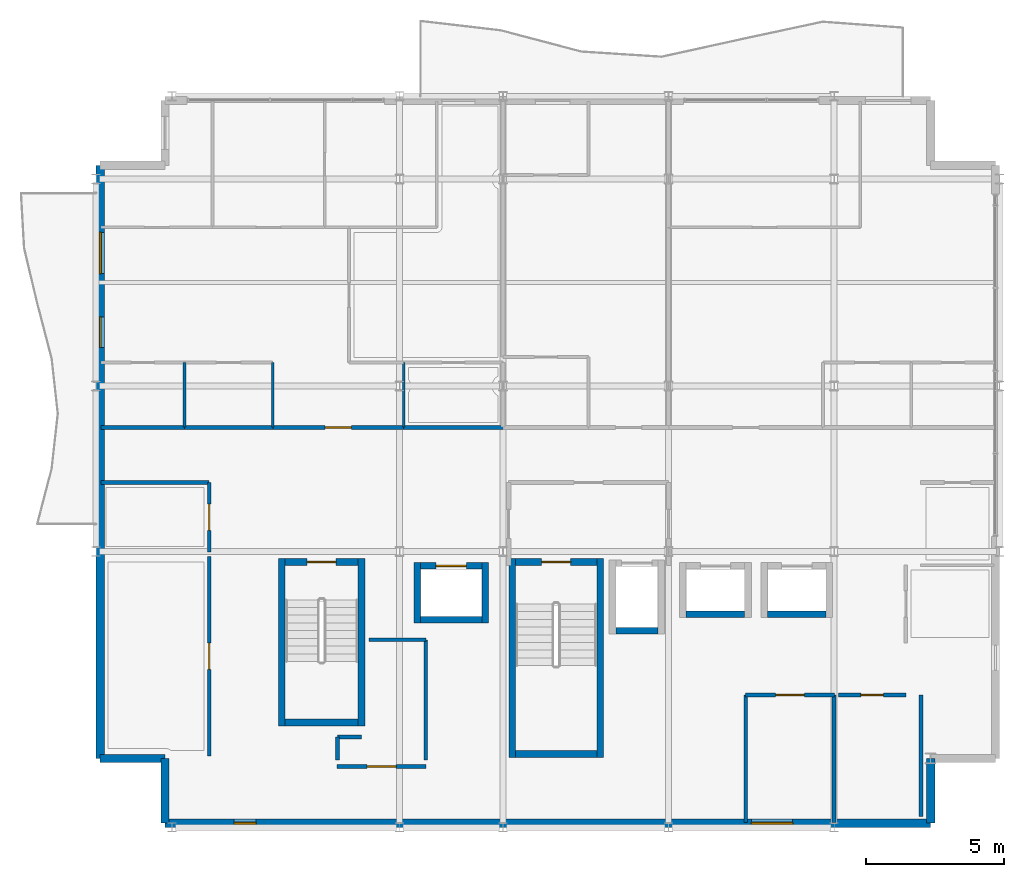
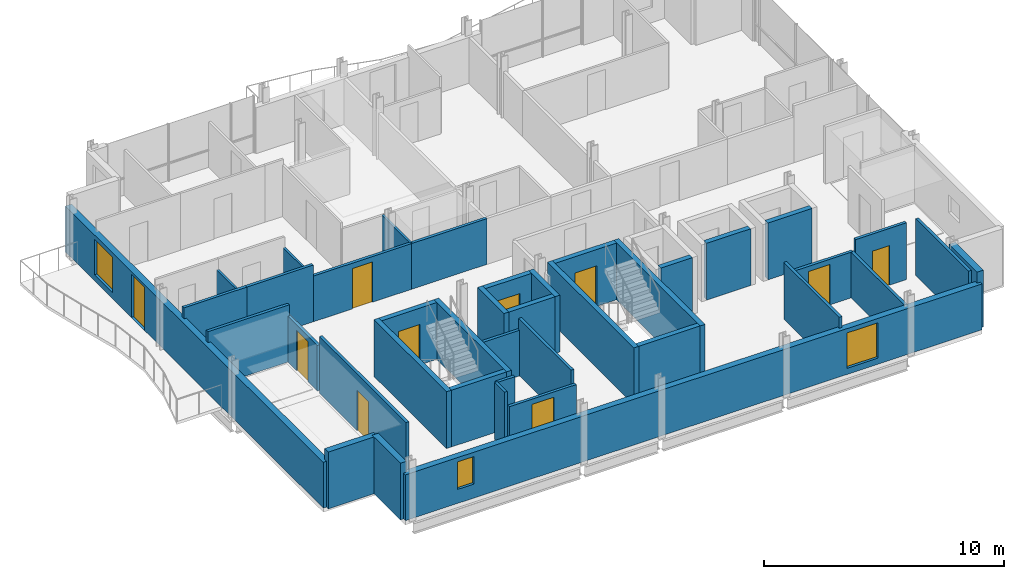
# One storey, part 8 of 12: 40 walls, 10 doors, 3 windows, 13 openings.
"""IFC4 building model written with IfcOpenShell, lengths in metres."""

from ifc_helpers import new_model, si_unit, direction, frame, frame_2d, origin, place, context, subcontext, project, spatial, rectangle, extrude, material, layer, layer_set, type_object, element, fill, save


model = new_model("IFC4")

# Units and contexts
model_context = context("Model", 3, precision=1e-05, world=origin(), true_north=direction((0.0, 1.0)))
body_context = subcontext(model_context, "Body", "Model", "MODEL_VIEW")
ifc_project = project(units=[si_unit("LENGTHUNIT", "METRE"), si_unit("AREAUNIT", "SQUARE_METRE"), si_unit("VOLUMEUNIT", "CUBIC_METRE"), si_unit("PLANEANGLEUNIT", "RADIAN"), si_unit("MASSUNIT", "GRAM", prefix="KILO")], contexts=[model_context])

# Site, building, storey
site_placement = place(None, origin())
site = spatial("IfcSite", under=ifc_project, at=site_placement, CompositionType="ELEMENT")
building_placement = place(site_placement, origin())
building = spatial("IfcBuilding", under=site, at=building_placement, Name="Brevholm Reach", CompositionType="ELEMENT")
storey_placement = place(building_placement, frame((0.0, 0.0, 227.300048828125)))
storey = spatial("IfcBuildingStorey", under=building, at=storey_placement, Name="L69", CompositionType="ELEMENT", Elevation=227.300048828125)

# Walls
ifc_material_1 = material(Name="Concrete C45/55", Category="concrete")
ifc_layer_1 = layer(ifc_material_1, 0.239990234375)
ifc_layer_set_1 = layer_set([ifc_layer_1], Name="Concrete C45/55")
wall_type_1 = type_object("IfcWallType", Name="WAL-COR-240", PredefinedType="SHEAR", material=ifc_layer_set_1)
for number, where, z_axis, x_axis, name in (
    (1, (42.330078125, 2.5400390625, 0.0), (0.0, 0.0, 1.0), (0.0, 1.0, 0.0), "L69 Escape Stair ST-2 Core Wall W"),
    (2, (45.52001953125, 2.5400390625, 0.0), (0.0, 0.0, 1.0), (0.0, 1.0, 0.0), "L69 Escape Stair ST-2 Core Wall E"),
):
    element("IfcWall", number, at=place(storey_placement, frame(where, z_axis=z_axis, x_axis=x_axis)), inside=storey, type_object=wall_type_1, Name=name, PredefinedType="SHEAR", context=body_context, shape_type="SweptSolid", body=[
        extrude(rectangle(XDim=7.199951171875, YDim=0.239990234375, at=frame_2d((3.60009765625, 0.0))), origin(), (0.0, 0.0, 1.0), 2.889892578125),
    ])
wall_1_placement = place(storey_placement, frame((42.449951171875, 2.659912109375, 0.0), z_axis=(0.0, 0.0, 1.0), x_axis=(1.0, 0.0, 0.0)))
element("IfcWall", 3, at=wall_1_placement, inside=storey, type_object=wall_type_1, Name="L69 Escape Stair ST-2 Core Wall S", PredefinedType="SHEAR", context=body_context, shape_type="SweptSolid", body=[
    extrude(rectangle(XDim=2.949951171875, YDim=0.239990234375, at=frame_2d((1.47509765625, 0.0))), origin(), (0.0, 0.0, 1.0), 2.889892578125),
])

# Wall, opening, door
wall_2_placement = place(storey_placement, frame((45.39990234375, 9.6201171875, 0.0), z_axis=(0.0, 0.0, 1.0), x_axis=(-1.0, 0.0, 0.0)))
wall_2 = element("IfcWall", 4, at=wall_2_placement, inside=storey, type_object=wall_type_1, Name="L69 Escape Stair ST-2 Core Wall N", PredefinedType="SHEAR", context=body_context, shape_type="SweptSolid", body=[
    extrude(rectangle(XDim=2.949951171875, YDim=0.239990234375, at=frame_2d((1.47509765625, 0.0))), origin(), (0.0, 0.0, 1.0), 2.889892578125),
])
opening_1_placement = place(wall_2_placement, frame((0.949951171875, 0.0, 0.0)))
opening_1 = element("IfcOpeningElement", 5, at=opening_1_placement, cuts=wall_2, Name="Opening SD-ST-2", PredefinedType="OPENING", context=body_context, shape_type="SweptSolid", body=[
    extrude(rectangle(XDim=1.050048828125, YDim=2.06005859375, at=frame_2d((0.52490234375, 1.030029296875))), frame((0.0, 0.1298828125, 0.0), z_axis=(0.0, -1.0, 0.0), x_axis=(1.0, 0.0, 0.0)), (0.0, 0.0, 1.0), 0.260009765625),
])
ifc_material_2 = material(Name="Hardwood-Lipped Steel-Core Fire and Smoke Door", Category="steel")
door_type_1 = type_object("IfcDoorType", Name="DOR-INT-FD60S", OperationType="NOTDEFINED", PredefinedType="DOOR", material=ifc_material_2)
door_1_placement = place(opening_1_placement, origin())
door_1 = element("IfcDoor", 6, at=door_1_placement, inside=storey, type_object=door_type_1, Name="L69 Protected Stair ST-2 Lobby Door", OperationType="SINGLE_SWING_RIGHT", OverallHeight=2.06005859375, OverallWidth=1.050048828125, PredefinedType="DOOR", context=body_context, shape_type="SweptSolid", body=[
    extrude(rectangle(XDim=1.050048828125, YDim=2.06005859375, at=frame_2d((0.52490234375, 1.030029296875))), frame((0.0, 0.02490234375, 0.0), z_axis=(0.0, -1.0, 0.0), x_axis=(1.0, 0.0, 0.0)), (0.0, 0.0, 1.0), 0.050048828125),
])
fill(opening_1, door_1)

# Walls
for number, where, z_axis, x_axis, name in (
    (7, (33.97998046875, 3.679931640625, 0.0), (0.0, 0.0, 1.0), (0.0, 1.0, 0.0), "L69 Escape Stair ST-3 Core Wall W"),
    (8, (36.8701171875, 3.679931640625, 0.0), (0.0, 0.0, 1.0), (0.0, 1.0, 0.0), "L69 Escape Stair ST-3 Core Wall E"),
):
    element("IfcWall", number, at=place(storey_placement, frame(where, z_axis=z_axis, x_axis=x_axis)), inside=storey, type_object=wall_type_1, Name=name, PredefinedType="SHEAR", context=body_context, shape_type="SweptSolid", body=[
        extrude(rectangle(XDim=6.06005859375, YDim=0.239990234375, at=frame_2d((3.030029296875, 0.0))), origin(), (0.0, 0.0, 1.0), 2.889892578125),
    ])
wall_3_placement = place(storey_placement, frame((34.10009765625, 3.800048828125, 0.0), z_axis=(0.0, 0.0, 1.0), x_axis=(1.0, 0.0, 0.0)))
element("IfcWall", 9, at=wall_3_placement, inside=storey, type_object=wall_type_1, Name="L69 Escape Stair ST-3 Core Wall S", PredefinedType="SHEAR", context=body_context, shape_type="SweptSolid", body=[
    extrude(rectangle(XDim=2.64990234375, YDim=0.239990234375, at=frame_2d((1.324951171875, 0.0))), origin(), (0.0, 0.0, 1.0), 2.889892578125),
])

# Wall, opening, door
wall_4_placement = place(storey_placement, frame((36.75, 9.6201171875, 0.0), z_axis=(0.0, 0.0, 1.0), x_axis=(-1.0, 0.0, 0.0)))
wall_4 = element("IfcWall", 10, at=wall_4_placement, inside=storey, type_object=wall_type_1, Name="L69 Escape Stair ST-3 Core Wall N", PredefinedType="SHEAR", context=body_context, shape_type="SweptSolid", body=[
    extrude(rectangle(XDim=2.64990234375, YDim=0.239990234375, at=frame_2d((1.324951171875, 0.0))), origin(), (0.0, 0.0, 1.0), 2.889892578125),
])
opening_2_placement = place(wall_4_placement, frame((0.800048828125, 0.0, 0.0)))
opening_2 = element("IfcOpeningElement", 11, at=opening_2_placement, cuts=wall_4, Name="Opening SD-ST-3", PredefinedType="OPENING", context=body_context, shape_type="SweptSolid", body=[
    extrude(rectangle(XDim=1.050048828125, YDim=2.06005859375, at=frame_2d((0.52490234375, 1.030029296875))), frame((0.0, 0.1298828125, 0.0), z_axis=(0.0, -1.0, 0.0), x_axis=(1.0, 0.0, 0.0)), (0.0, 0.0, 1.0), 0.260009765625),
])
door_2_placement = place(opening_2_placement, origin())
door_2 = element("IfcDoor", 12, at=door_2_placement, inside=storey, type_object=door_type_1, Name="L69 Protected Stair ST-3 Lobby Door", OperationType="SINGLE_SWING_RIGHT", OverallHeight=2.06005859375, OverallWidth=1.050048828125, PredefinedType="DOOR", context=body_context, shape_type="SweptSolid", body=[
    extrude(rectangle(XDim=1.050048828125, YDim=2.06005859375, at=frame_2d((0.52490234375, 1.030029296875))), frame((0.0, 0.02490234375, 0.0), z_axis=(0.0, -1.0, 0.0), x_axis=(1.0, 0.0, 0.0)), (0.0, 0.0, 1.0), 0.050048828125),
])
fill(opening_2, door_2)

# Walls
wall_5_placement = place(storey_placement, frame((46.090087890625, 7.1201171875, 0.0), z_axis=(0.0, 0.0, 1.0), x_axis=(1.0, 0.0, 0.0)))
element("IfcWall", 13, at=wall_5_placement, inside=storey, type_object=wall_type_1, Name="L69 Lift FFL-2 Shaft Wall S", PredefinedType="SHEAR", context=body_context, shape_type="SweptSolid", body=[
    extrude(rectangle(XDim=1.52001953125, YDim=0.239990234375, at=frame_2d((0.760009765625, 0.0))), origin(), (0.0, 0.0, 1.0), 2.889892578125),
])
for number, where, z_axis, x_axis, name in (
    (14, (38.889892578125, 7.39990234375, 0.0), (0.0, 0.0, 1.0), (0.0, 1.0, 0.0), "L69 Lift PL-S1 Shaft Wall W"),
    (15, (41.35009765625, 7.39990234375, 0.0), (0.0, 0.0, 1.0), (0.0, 1.0, 0.0), "L69 Lift PL-S1 Shaft Wall E"),
):
    element("IfcWall", number, at=place(storey_placement, frame(where, z_axis=z_axis, x_axis=x_axis)), inside=storey, type_object=wall_type_1, Name=name, PredefinedType="SHEAR", context=body_context, shape_type="SweptSolid", body=[
        extrude(rectangle(XDim=2.2001953125, YDim=0.239990234375, at=frame_2d((1.10009765625, 0.0))), origin(), (0.0, 0.0, 1.0), 2.889892578125),
    ])
wall_6_placement = place(storey_placement, frame((39.010009765625, 7.52001953125, 0.0), z_axis=(0.0, 0.0, 1.0), x_axis=(1.0, 0.0, 0.0)))
element("IfcWall", 16, at=wall_6_placement, inside=storey, type_object=wall_type_1, Name="L69 Lift PL-S1 Shaft Wall S", PredefinedType="SHEAR", context=body_context, shape_type="SweptSolid", body=[
    extrude(rectangle(XDim=2.219970703125, YDim=0.239990234375, at=frame_2d((1.10986328125, 0.0))), origin(), (0.0, 0.0, 1.0), 2.889892578125),
])

# Wall, opening, door
wall_7_placement = place(storey_placement, frame((39.010009765625, 9.47998046875, 0.0), z_axis=(0.0, 0.0, 1.0), x_axis=(1.0, 0.0, 0.0)))
wall_7 = element("IfcWall", 17, at=wall_7_placement, inside=storey, type_object=wall_type_1, Name="L69 Lift PL-S1 Shaft Wall N", PredefinedType="SHEAR", context=body_context, shape_type="SweptSolid", body=[
    extrude(rectangle(XDim=2.219970703125, YDim=0.239990234375, at=frame_2d((1.10986328125, 0.0))), origin(), (0.0, 0.0, 1.0), 2.889892578125),
])
opening_3_placement = place(wall_7_placement, frame((0.56005859375, 0.0, 0.0)))
opening_3 = element("IfcOpeningElement", 18, at=opening_3_placement, cuts=wall_7, Name="Opening LD-PL-S1", PredefinedType="OPENING", context=body_context, shape_type="SweptSolid", body=[
    extrude(rectangle(XDim=1.10009765625, YDim=2.06005859375, at=frame_2d((0.550048828125, 1.030029296875))), frame((0.0, 0.1298828125, 0.0), z_axis=(0.0, -1.0, 0.0), x_axis=(1.0, 0.0, 0.0)), (0.0, 0.0, 1.0), 0.260009765625),
])
ifc_material_3 = material(Name="Brushed Stainless Steel Fire-Rated Sliding Lift Door", Category="steel")
door_type_2 = type_object("IfcDoorType", Name="DOR-LFT-1100", OperationType="NOTDEFINED", PredefinedType="DOOR", material=ifc_material_3)
door_3_placement = place(opening_3_placement, origin())
door_3 = element("IfcDoor", 19, at=door_3_placement, inside=storey, type_object=door_type_2, Name="L69 Lift PL-S1 Sliding Landing Door", OperationType="SLIDING_TO_LEFT", OverallHeight=2.06005859375, OverallWidth=1.10009765625, PredefinedType="DOOR", context=body_context, shape_type="SweptSolid", body=[
    extrude(rectangle(XDim=1.10009765625, YDim=2.06005859375, at=frame_2d((0.550048828125, 1.030029296875))), frame((0.0, 0.02490234375, 0.0), z_axis=(0.0, -1.0, 0.0), x_axis=(1.0, 0.0, 0.0)), (0.0, 0.0, 1.0), 0.050048828125),
])
fill(opening_3, door_3)

# Walls
wall_8_placement = place(storey_placement, frame((48.639892578125, 7.719970703125, 0.0), z_axis=(0.0, 0.0, 1.0), x_axis=(1.0, 0.0, 0.0)))
element("IfcWall", 20, at=wall_8_placement, inside=storey, type_object=wall_type_1, Name="L69 Lift PL-H1 Shaft Wall S", PredefinedType="SHEAR", context=body_context, shape_type="SweptSolid", body=[
    extrude(rectangle(XDim=2.1201171875, YDim=0.239990234375, at=frame_2d((1.06005859375, 0.0))), origin(), (0.0, 0.0, 1.0), 2.889892578125),
])
wall_9_placement = place(storey_placement, frame((51.590087890625, 7.719970703125, 0.0), z_axis=(0.0, 0.0, 1.0), x_axis=(1.0, 0.0, 0.0)))
element("IfcWall", 21, at=wall_9_placement, inside=storey, type_object=wall_type_1, Name="L69 Lift PL-H2 Shaft Wall S", PredefinedType="SHEAR", context=body_context, shape_type="SweptSolid", body=[
    extrude(rectangle(XDim=2.119873046875, YDim=0.239990234375, at=frame_2d((1.06005859375, 0.0))), origin(), (0.0, 0.0, 1.0), 2.889892578125),
])
ifc_material_4 = material(Name="Concrete C40/50", Category="concrete")
ifc_layer_2 = layer(ifc_material_4, 0.300048828125)
ifc_layer_set_2 = layer_set([ifc_layer_2], Name="Concrete C40/50")
wall_type_2 = type_object("IfcWallType", Name="WAL-EXT-300", PredefinedType="STANDARD", material=ifc_layer_set_2)
for number, where, z_axis, x_axis, name in (
    (22, (29.75, 2.5, 0.0), (0.0, 0.0, 1.0), (0.0, -1.0, 0.0), "L69 Facade Wall WAL-L69-CSW1"),
    (23, (27.39990234375, 2.5, 0.0), (0.0, 0.0, 1.0), (1.0, 0.0, 0.0), "L69 Facade Wall WAL-L69-CSW2"),
    (24, (57.5, 0.14990234375, 0.0), (0.0, 0.0, 1.0), (0.0, 1.0, 0.0), "L69 Facade Wall WAL-L69-CSE1"),
):
    element("IfcWall", number, at=place(storey_placement, frame(where, z_axis=z_axis, x_axis=x_axis)), inside=storey, type_object=wall_type_2, Name=name, PredefinedType="STANDARD", context=body_context, shape_type="SweptSolid", body=[
        extrude(rectangle(XDim=2.35009765625, YDim=0.300048828125, at=frame_2d((1.175048828125, 0.0))), origin(), (0.0, 0.0, 1.0), 2.889892578125),
    ])

# Wall, openings, windows
wall_10_placement = place(storey_placement, frame((29.75, 0.14990234375, 0.0), z_axis=(0.0, 0.0, 1.0), x_axis=(1.0, 0.0, 0.0)))
wall_10 = element("IfcWall", 25, at=wall_10_placement, inside=storey, type_object=wall_type_2, Name="L69 Facade Wall WAL-L69-S", PredefinedType="STANDARD", context=body_context, shape_type="SweptSolid", body=[
    extrude(rectangle(XDim=27.75, YDim=0.300048828125, at=frame_2d((13.875, 0.0))), origin(), (0.0, 0.0, 1.0), 2.331787109375),
])
opening_4_placement = place(wall_10_placement, frame((2.5, 0.0, 0.7119140625)))
opening_4 = element("IfcOpeningElement", 26, at=opening_4_placement, cuts=wall_10, Name="Opening WN-11", PredefinedType="OPENING", context=body_context, shape_type="SweptSolid", body=[
    extrude(rectangle(XDim=0.800048828125, YDim=1.39990234375, at=frame_2d((0.39990234375, 0.699951171875))), frame((0.0, 0.159912109375, 0.0), z_axis=(0.0, -1.0, 0.0), x_axis=(1.0, 0.0, 0.0)), (0.0, 0.0, 1.0), 0.320068359375),
])
opening_5_placement = place(wall_10_placement, frame((21.25, 0.0, 0.31201171875)))
opening_5 = element("IfcOpeningElement", 27, at=opening_5_placement, cuts=wall_10, Name="Opening WN-05", PredefinedType="OPENING", context=body_context, shape_type="SweptSolid", body=[
    extrude(rectangle(XDim=1.5, YDim=1.800048828125, at=frame_2d((0.75, 0.89990234375))), frame((0.0, 0.159912109375, 0.0), z_axis=(0.0, -1.0, 0.0), x_axis=(1.0, 0.0, 0.0)), (0.0, 0.0, 1.0), 0.320068359375),
])
ifc_material_5 = material(Name="Dark Anodised Aluminium and Solar-Control IGU Glass", Category="aluminium")
window_type_1 = type_object("IfcWindowType", Name="WIN-COR-0800", PartitioningType="SINGLE_PANEL", PredefinedType="WINDOW", material=ifc_material_5)
window_1_placement = place(opening_4_placement, origin())
window_1 = element("IfcWindow", 28, at=window_1_placement, inside=storey, type_object=window_type_1, Name="L69 Window WIN-L69-S-1", OverallHeight=1.39990234375, OverallWidth=0.800048828125, PartitioningType="SINGLE_PANEL", PredefinedType="WINDOW", context=body_context, shape_type="SweptSolid", body=[
    extrude(rectangle(XDim=0.800048828125, YDim=1.39990234375, at=frame_2d((0.39990234375, 0.699951171875))), frame((0.0, 0.030029296875, 0.0), z_axis=(0.0, -1.0, 0.0), x_axis=(1.0, 0.0, 0.0)), (0.0, 0.0, 1.0), 0.06005859375),
])
fill(opening_4, window_1)
ifc_material_6 = material(Name="Dark Anodised Aluminium and Solar-Control IGU Glass", Category="aluminium")
window_type_2 = type_object("IfcWindowType", Name="WIN-RES-1500", PartitioningType="SINGLE_PANEL", PredefinedType="WINDOW", material=ifc_material_6)
window_2_placement = place(opening_5_placement, origin())
window_2 = element("IfcWindow", 29, at=window_2_placement, inside=storey, type_object=window_type_2, Name="L69 Window WIN-L69-S-2", OverallHeight=1.800048828125, OverallWidth=1.5, PartitioningType="SINGLE_PANEL", PredefinedType="WINDOW", context=body_context, shape_type="SweptSolid", body=[
    extrude(rectangle(XDim=1.5, YDim=1.800048828125, at=frame_2d((0.75, 0.89990234375))), frame((0.0, 0.030029296875, 0.0), z_axis=(0.0, -1.0, 0.0), x_axis=(1.0, 0.0, 0.0)), (0.0, 0.0, 1.0), 0.06005859375),
])
fill(opening_5, window_2)

# Wall, openings, door, window
wall_11_placement = place(storey_placement, frame((27.39990234375, 24.0, 0.0), z_axis=(0.0, 0.0, 1.0), x_axis=(0.0, -1.0, 0.0)))
wall_11 = element("IfcWall", 30, at=wall_11_placement, inside=storey, type_object=wall_type_2, Name="L69 Facade Wall WAL-L69-W", PredefinedType="STANDARD", context=body_context, shape_type="SweptSolid", body=[
    extrude(rectangle(XDim=21.5, YDim=0.300048828125, at=frame_2d((10.75, 0.0))), origin(), (0.0, 0.0, 1.0), 2.331787109375),
])
opening_6_placement = place(wall_11_placement, frame((5.5, 0.0, 0.0)))
opening_6 = element("IfcOpeningElement", 31, at=opening_6_placement, cuts=wall_11, Name="Opening BD-01", PredefinedType="OPENING", context=body_context, shape_type="SweptSolid", body=[
    extrude(rectangle(XDim=1.10009765625, YDim=2.199951171875, at=frame_2d((0.550048828125, 1.10009765625))), frame((0.0, 0.159912109375, 0.0), z_axis=(0.0, -1.0, 0.0), x_axis=(1.0, 0.0, 0.0)), (0.0, 0.0, 1.0), 0.320068359375),
])
opening_7_placement = place(wall_11_placement, frame((2.429931640625, 0.0, 0.31201171875)))
opening_7 = element("IfcOpeningElement", 32, at=opening_7_placement, cuts=wall_11, Name="Opening WN-05", PredefinedType="OPENING", context=body_context, shape_type="SweptSolid", body=[
    extrude(rectangle(XDim=1.5, YDim=1.800048828125, at=frame_2d((0.75, 0.89990234375))), frame((0.0, 0.159912109375, 0.0), z_axis=(0.0, -1.0, 0.0), x_axis=(1.0, 0.0, 0.0)), (0.0, 0.0, 1.0), 0.320068359375),
])
ifc_material_7 = material(Name="Dark Anodised Aluminium and Triple-Glazed Glass", Category="aluminium")
door_type_3 = type_object("IfcDoorType", Name="DOR-BALC-1100", OperationType="NOTDEFINED", PredefinedType="DOOR", material=ifc_material_7)
door_4_placement = place(opening_6_placement, origin())
door_4 = element("IfcDoor", 33, at=door_4_placement, inside=storey, type_object=door_type_3, Name="L69 Exterior Door DOR-L69-SLOT", OperationType="SINGLE_SWING_LEFT", OverallHeight=2.199951171875, OverallWidth=1.10009765625, PredefinedType="DOOR", context=body_context, shape_type="SweptSolid", body=[
    extrude(rectangle(XDim=1.10009765625, YDim=2.199951171875, at=frame_2d((0.550048828125, 1.10009765625))), frame((0.0, 0.02490234375, 0.0), z_axis=(0.0, -1.0, 0.0), x_axis=(1.0, 0.0, 0.0)), (0.0, 0.0, 1.0), 0.050048828125),
])
fill(opening_6, door_4)
window_3_placement = place(opening_7_placement, origin())
window_3 = element("IfcWindow", 34, at=window_3_placement, inside=storey, type_object=window_type_2, Name="L69 Window WIN-L69-W-1", OverallHeight=1.800048828125, OverallWidth=1.5, PartitioningType="SINGLE_PANEL", PredefinedType="WINDOW", context=body_context, shape_type="SweptSolid", body=[
    extrude(rectangle(XDim=1.5, YDim=1.800048828125, at=frame_2d((0.75, 0.89990234375))), frame((0.0, 0.030029296875, 0.0), z_axis=(0.0, -1.0, 0.0), x_axis=(1.0, 0.0, 0.0)), (0.0, 0.0, 1.0), 0.06005859375),
])
fill(opening_7, window_3)

# Walls
ifc_material_8 = material(Name="Moisture-Resistant Acoustic Gypsum Stud Partition 100 mm", Category="gypsum")
ifc_layer_3 = layer(ifc_material_8, 0.10009765625)
ifc_layer_set_3 = layer_set([ifc_layer_3], Name="Moisture-Resistant Acoustic Gypsum Stud Partition 100 mm")
wall_type_3 = type_object("IfcWallType", Name="WAL-PRT-100", PredefinedType="PARTITIONING", material=ifc_layer_set_3)
for number, where, z_axis, x_axis, name in (
    (35, (30.449951171875, 14.50390625, 0.0), (0.0, 0.0, 1.0), (0.0, 1.0, 0.0), "L69 Internal Partition 024"),
    (36, (33.64990234375, 14.50390625, 0.0), (0.0, 0.0, 1.0), (0.0, 1.0, 0.0), "L69 Internal Partition 026"),
    (37, (38.39990234375, 14.50390625, 0.0), (0.0, 0.0, 1.0), (0.0, 1.0, 0.0), "L69 Internal Partition 029"),
):
    element("IfcWall", number, at=place(storey_placement, frame(where, z_axis=z_axis, x_axis=x_axis)), inside=storey, type_object=wall_type_3, Name=name, PredefinedType="PARTITIONING", context=body_context, shape_type="SweptSolid", body=[
        extrude(rectangle(XDim=2.34619140625, YDim=0.10009765625, at=frame_2d((1.173095703125, 0.0))), origin(), (0.0, 0.0, 1.0), 2.325439453125),
    ])

# Wall, opening, door
ifc_material_9 = material(Name="Twin-Stud Acoustic Fire-Rated Gypsum Partition 140 mm", Category="gypsum")
ifc_layer_4 = layer(ifc_material_9, 0.139892578125)
ifc_layer_set_4 = layer_set([ifc_layer_4], Name="Twin-Stud Acoustic Fire-Rated Gypsum Partition 140 mm")
wall_type_4 = type_object("IfcWallType", Name="WAL-PRT-140", PredefinedType="PARTITIONING", material=ifc_layer_set_4)
wall_12_placement = place(storey_placement, frame((31.35009765625, 2.588623046875, 0.0), z_axis=(0.0, 0.0, 1.0), x_axis=(0.0, 1.0, 0.0)))
wall_12 = element("IfcWall", 38, at=wall_12_placement, inside=storey, type_object=wall_type_4, Name="L69 Internal Partition 001", PredefinedType="PARTITIONING", context=body_context, shape_type="SweptSolid", body=[
    extrude(rectangle(XDim=7.22265625, YDim=0.139892578125, at=frame_2d((3.611328125, 0.0))), origin(), (0.0, 0.0, 1.0), 2.889892578125),
])
opening_8_placement = place(wall_12_placement, frame((3.13623046875, 0.0, 0.0)))
opening_8 = element("IfcOpeningElement", 39, at=opening_8_placement, cuts=wall_12, Name="Opening ID-30", PredefinedType="OPENING", context=body_context, shape_type="SweptSolid", body=[
    extrude(rectangle(XDim=0.949951171875, YDim=2.050048828125, at=frame_2d((0.47509765625, 1.02490234375))), frame((0.0, 0.079833984375, 0.0), z_axis=(0.0, -1.0, 0.0), x_axis=(1.0, 0.0, 0.0)), (0.0, 0.0, 1.0), 0.159912109375),
])
ifc_material_10 = material(Name="European Oak Veneered Solid-Core Fire Entrance Door", Category="timber")
door_type_4 = type_object("IfcDoorType", Name="DOR-FLT-FD30S", OperationType="NOTDEFINED", PredefinedType="DOOR", material=ifc_material_10)
door_5_placement = place(opening_8_placement, origin())
door_5 = element("IfcDoor", 40, at=door_5_placement, inside=storey, type_object=door_type_4, Name="L69 Internal Door 001", OperationType="SINGLE_SWING_RIGHT", OverallHeight=2.050048828125, OverallWidth=0.949951171875, PredefinedType="DOOR", context=body_context, shape_type="SweptSolid", body=[
    extrude(rectangle(XDim=0.949951171875, YDim=2.050048828125, at=frame_2d((0.47509765625, 1.02490234375))), frame((0.0, 0.02490234375, 0.0), z_axis=(0.0, -1.0, 0.0), x_axis=(1.0, 0.0, 0.0)), (0.0, 0.0, 1.0), 0.050048828125),
])
fill(opening_8, door_5)

wall_13_placement = place(storey_placement, frame((31.35009765625, 9.98876953125, 0.0), z_axis=(0.0, 0.0, 1.0), x_axis=(0.0, 1.0, 0.0)))
wall_13 = element("IfcWall", 41, at=wall_13_placement, inside=storey, type_object=wall_type_4, Name="L69 Internal Partition 002", PredefinedType="PARTITIONING", context=body_context, shape_type="SweptSolid", body=[
    extrude(rectangle(XDim=2.51123046875, YDim=0.139892578125, at=frame_2d((1.255615234375, 0.0))), origin(), (0.0, 0.0, 1.0), 2.325439453125),
])
opening_9_placement = place(wall_13_placement, frame((0.78076171875, 0.0, 0.0)))
opening_9 = element("IfcOpeningElement", 42, at=opening_9_placement, cuts=wall_13, Name="Opening ID-30", PredefinedType="OPENING", context=body_context, shape_type="SweptSolid", body=[
    extrude(rectangle(XDim=0.949951171875, YDim=2.050048828125, at=frame_2d((0.47509765625, 1.02490234375))), frame((0.0, 0.079833984375, 0.0), z_axis=(0.0, -1.0, 0.0), x_axis=(1.0, 0.0, 0.0)), (0.0, 0.0, 1.0), 0.159912109375),
])
door_6_placement = place(opening_9_placement, origin())
door_6 = element("IfcDoor", 43, at=door_6_placement, inside=storey, type_object=door_type_4, Name="L69 Internal Door 002", OperationType="SINGLE_SWING_LEFT", OverallHeight=2.050048828125, OverallWidth=0.949951171875, PredefinedType="DOOR", context=body_context, shape_type="SweptSolid", body=[
    extrude(rectangle(XDim=0.949951171875, YDim=2.050048828125, at=frame_2d((0.47509765625, 1.02490234375))), frame((0.0, 0.02490234375, 0.0), z_axis=(0.0, -1.0, 0.0), x_axis=(1.0, 0.0, 0.0)), (0.0, 0.0, 1.0), 0.050048828125),
])
fill(opening_9, door_6)

wall_14_placement = place(storey_placement, frame((35.98876953125, 2.199951171875, 0.0), z_axis=(0.0, 0.0, 1.0), x_axis=(1.0, 0.0, 0.0)))
wall_14 = element("IfcWall", 44, at=wall_14_placement, inside=storey, type_object=wall_type_4, Name="L69 Internal Partition 003", PredefinedType="PARTITIONING", context=body_context, shape_type="SweptSolid", body=[
    extrude(rectangle(XDim=3.222412109375, YDim=0.139892578125, at=frame_2d((1.611328125, 0.0))), origin(), (0.0, 0.0, 1.0), 2.325439453125),
])
opening_10_placement = place(wall_14_placement, frame((1.086181640625, 0.0, 0.0)))
opening_10 = element("IfcOpeningElement", 45, at=opening_10_placement, cuts=wall_14, Name="Opening FD-01", PredefinedType="OPENING", context=body_context, shape_type="SweptSolid", body=[
    extrude(rectangle(XDim=1.050048828125, YDim=2.06005859375, at=frame_2d((0.52490234375, 1.030029296875))), frame((0.0, 0.079833984375, 0.0), z_axis=(0.0, -1.0, 0.0), x_axis=(1.0, 0.0, 0.0)), (0.0, 0.0, 1.0), 0.159912109375),
])
door_7_placement = place(opening_10_placement, origin())
door_7 = element("IfcDoor", 46, at=door_7_placement, inside=storey, type_object=door_type_1, Name="L69 Internal Door 003", OperationType="SINGLE_SWING_RIGHT", OverallHeight=2.06005859375, OverallWidth=1.050048828125, PredefinedType="DOOR", context=body_context, shape_type="SweptSolid", body=[
    extrude(rectangle(XDim=1.050048828125, YDim=2.06005859375, at=frame_2d((0.52490234375, 1.030029296875))), frame((0.0, 0.02490234375, 0.0), z_axis=(0.0, -1.0, 0.0), x_axis=(1.0, 0.0, 0.0)), (0.0, 0.0, 1.0), 0.050048828125),
])
fill(opening_10, door_7)

wall_15_placement = place(storey_placement, frame((50.792724609375, 4.800048828125, 0.0), z_axis=(0.0, 0.0, 1.0), x_axis=(1.0, 0.0, 0.0)))
wall_15 = element("IfcWall", 47, at=wall_15_placement, inside=storey, type_object=wall_type_4, Name="L69 Internal Partition 004", PredefinedType="PARTITIONING", context=body_context, shape_type="SweptSolid", body=[
    extrude(rectangle(XDim=3.218505859375, YDim=0.139892578125, at=frame_2d((1.609375, 0.0))), origin(), (0.0, 0.0, 1.0), 2.325439453125),
])
opening_11_placement = place(wall_15_placement, frame((1.084228515625, 0.0, 0.0)))
opening_11 = element("IfcOpeningElement", 48, at=opening_11_placement, cuts=wall_15, Name="Opening FD-01", PredefinedType="OPENING", context=body_context, shape_type="SweptSolid", body=[
    extrude(rectangle(XDim=1.050048828125, YDim=2.06005859375, at=frame_2d((0.52490234375, 1.030029296875))), frame((0.0, 0.079833984375, 0.0), z_axis=(0.0, -1.0, 0.0), x_axis=(1.0, 0.0, 0.0)), (0.0, 0.0, 1.0), 0.159912109375),
])
door_8_placement = place(opening_11_placement, origin())
door_8 = element("IfcDoor", 49, at=door_8_placement, inside=storey, type_object=door_type_1, Name="L69 Internal Door 004", OperationType="SINGLE_SWING_LEFT", OverallHeight=2.06005859375, OverallWidth=1.050048828125, PredefinedType="DOOR", context=body_context, shape_type="SweptSolid", body=[
    extrude(rectangle(XDim=1.050048828125, YDim=2.06005859375, at=frame_2d((0.52490234375, 1.030029296875))), frame((0.0, 0.02490234375, 0.0), z_axis=(0.0, -1.0, 0.0), x_axis=(1.0, 0.0, 0.0)), (0.0, 0.0, 1.0), 0.050048828125),
])
fill(opening_11, door_8)

wall_16_placement = place(storey_placement, frame((54.154052734375, 4.800048828125, 0.0), z_axis=(0.0, 0.0, 1.0), x_axis=(1.0, 0.0, 0.0)))
wall_16 = element("IfcWall", 50, at=wall_16_placement, inside=storey, type_object=wall_type_4, Name="L69 Internal Partition 005", PredefinedType="PARTITIONING", context=body_context, shape_type="SweptSolid", body=[
    extrude(rectangle(XDim=2.446044921875, YDim=0.139892578125, at=frame_2d((1.22314453125, 0.0))), origin(), (0.0, 0.0, 1.0), 2.889892578125),
])
opening_12_placement = place(wall_16_placement, frame((0.81298828125, 0.0, 0.0)))
opening_12 = element("IfcOpeningElement", 51, at=opening_12_placement, cuts=wall_16, Name="Opening ID-02", PredefinedType="OPENING", context=body_context, shape_type="SweptSolid", body=[
    extrude(rectangle(XDim=0.820068359375, YDim=2.02001953125, at=frame_2d((0.41015625, 1.010009765625))), frame((0.0, 0.079833984375, 0.0), z_axis=(0.0, -1.0, 0.0), x_axis=(1.0, 0.0, 0.0)), (0.0, 0.0, 1.0), 0.159912109375),
])
ifc_material_11 = material(Name="Moisture-Resistant Painted Timber Fire-Rated Riser and Service Door", Category="wood")
door_type_5 = type_object("IfcDoorType", Name="DOR-SRV-820", OperationType="NOTDEFINED", PredefinedType="DOOR", material=ifc_material_11)
door_9_placement = place(opening_12_placement, origin())
door_9 = element("IfcDoor", 52, at=door_9_placement, inside=storey, type_object=door_type_5, Name="L69 Internal Door 005", OperationType="SINGLE_SWING_RIGHT", OverallHeight=2.02001953125, OverallWidth=0.820068359375, PredefinedType="DOOR", context=body_context, shape_type="SweptSolid", body=[
    extrude(rectangle(XDim=0.820068359375, YDim=2.02001953125, at=frame_2d((0.41015625, 1.010009765625))), frame((0.0, 0.02490234375, 0.0), z_axis=(0.0, -1.0, 0.0), x_axis=(1.0, 0.0, 0.0)), (0.0, 0.0, 1.0), 0.050048828125),
])
fill(opening_12, door_9)

# Walls
wall_17_placement = place(storey_placement, frame((50.800048828125, 0.179931640625, 0.0), z_axis=(0.0, 0.0, 1.0), x_axis=(0.0, 1.0, 0.0)))
element("IfcWall", 53, at=wall_17_placement, inside=storey, type_object=wall_type_4, Name="L69 Internal Partition 007", PredefinedType="PARTITIONING", context=body_context, shape_type="SweptSolid", body=[
    extrude(rectangle(XDim=4.615966796875, YDim=0.139892578125, at=frame_2d((2.30810546875, 0.0))), origin(), (0.0, 0.0, 1.0), 2.889892578125),
])
wall_18_placement = place(storey_placement, frame((54.0, 0.179931640625, 0.0), z_axis=(0.0, 0.0, 1.0), x_axis=(0.0, 1.0, 0.0)))
element("IfcWall", 54, at=wall_18_placement, inside=storey, type_object=wall_type_4, Name="L69 Internal Partition 008", PredefinedType="PARTITIONING", context=body_context, shape_type="SweptSolid", body=[
    extrude(rectangle(XDim=4.615966796875, YDim=0.139892578125, at=frame_2d((2.30810546875, 0.0))), origin(), (0.0, 0.0, 1.0), 2.325439453125),
])
wall_19_placement = place(storey_placement, frame((27.429931640625, 12.5, 0.0), z_axis=(0.0, 0.0, 1.0), x_axis=(1.0, 0.0, 0.0)))
element("IfcWall", 55, at=wall_19_placement, inside=storey, type_object=wall_type_4, Name="L69 Internal Partition 014", PredefinedType="PARTITIONING", context=body_context, shape_type="SweptSolid", body=[
    extrude(rectangle(XDim=3.916015625, YDim=0.139892578125, at=frame_2d((1.9580078125, 0.0))), origin(), (0.0, 0.0, 1.0), 2.889892578125),
])
wall_20_placement = place(storey_placement, frame((27.429931640625, 14.5, 0.0), z_axis=(0.0, 0.0, 1.0), x_axis=(1.0, 0.0, 0.0)))
element("IfcWall", 56, at=wall_20_placement, inside=storey, type_object=wall_type_4, Name="L69 Internal Partition 015", PredefinedType="PARTITIONING", context=body_context, shape_type="SweptSolid", body=[
    extrude(rectangle(XDim=3.03125, YDim=0.139892578125, at=frame_2d((1.515625, 0.0))), origin(), (0.0, 0.0, 1.0), 2.889892578125),
])
wall_21_placement = place(storey_placement, frame((30.442626953125, 14.5, 0.0), z_axis=(0.0, 0.0, 1.0), x_axis=(1.0, 0.0, 0.0)))
element("IfcWall", 57, at=wall_21_placement, inside=storey, type_object=wall_type_4, Name="L69 Internal Partition 016", PredefinedType="PARTITIONING", context=body_context, shape_type="SweptSolid", body=[
    extrude(rectangle(XDim=3.21875, YDim=0.139892578125, at=frame_2d((1.609375, 0.0))), origin(), (0.0, 0.0, 1.0), 2.889892578125),
])
wall_22_placement = place(storey_placement, frame((38.388671875, 14.5, 0.0), z_axis=(0.0, 0.0, 1.0), x_axis=(1.0, 0.0, 0.0)))
element("IfcWall", 58, at=wall_22_placement, inside=storey, type_object=wall_type_4, Name="L69 Internal Partition 017", PredefinedType="PARTITIONING", context=body_context, shape_type="SweptSolid", body=[
    extrude(rectangle(XDim=3.62255859375, YDim=0.139892578125, at=frame_2d((1.811279296875, 0.0))), origin(), (0.0, 0.0, 1.0), 2.325439453125),
])

# Wall, opening, door
wall_23_placement = place(storey_placement, frame((33.642578125, 14.5, 0.0), z_axis=(0.0, 0.0, 1.0), x_axis=(1.0, 0.0, 0.0)))
wall_23 = element("IfcWall", 59, at=wall_23_placement, inside=storey, type_object=wall_type_4, Name="L69 Internal Partition 018", PredefinedType="PARTITIONING", context=body_context, shape_type="SweptSolid", body=[
    extrude(rectangle(XDim=4.7646484375, YDim=0.139892578125, at=frame_2d((2.38232421875, 0.0))), origin(), (0.0, 0.0, 1.0), 2.325439453125),
])
opening_13_placement = place(wall_23_placement, frame((1.9072265625, 0.0, 0.0)))
opening_13 = element("IfcOpeningElement", 60, at=opening_13_placement, cuts=wall_23, Name="Opening ID-30", PredefinedType="OPENING", context=body_context, shape_type="SweptSolid", body=[
    extrude(rectangle(XDim=0.949951171875, YDim=2.050048828125, at=frame_2d((0.47509765625, 1.02490234375))), frame((0.0, 0.079833984375, 0.0), z_axis=(0.0, -1.0, 0.0), x_axis=(1.0, 0.0, 0.0)), (0.0, 0.0, 1.0), 0.159912109375),
])
door_10_placement = place(opening_13_placement, origin())
door_10 = element("IfcDoor", 61, at=door_10_placement, inside=storey, type_object=door_type_4, Name="L69 Internal Door 011", OperationType="SINGLE_SWING_RIGHT", OverallHeight=2.050048828125, OverallWidth=0.949951171875, PredefinedType="DOOR", context=body_context, shape_type="SweptSolid", body=[
    extrude(rectangle(XDim=0.949951171875, YDim=2.050048828125, at=frame_2d((0.47509765625, 1.02490234375))), frame((0.0, 0.02490234375, 0.0), z_axis=(0.0, -1.0, 0.0), x_axis=(1.0, 0.0, 0.0)), (0.0, 0.0, 1.0), 0.050048828125),
])
fill(opening_13, door_10)

# Walls
wall_24_placement = place(storey_placement, frame((39.199951171875, 2.43994140625, 0.0), z_axis=(0.0, 0.0, 1.0), x_axis=(0.0, 1.0, 0.0)))
element("IfcWall", 62, at=wall_24_placement, inside=storey, type_object=wall_type_4, Name="L69 Internal Partition 054", PredefinedType="PARTITIONING", context=body_context, shape_type="SweptSolid", body=[
    extrude(rectangle(XDim=4.360107421875, YDim=0.139892578125, at=frame_2d((2.18017578125, 0.0))), origin(), (0.0, 0.0, 1.0), 2.889892578125),
])
wall_25_placement = place(storey_placement, frame((37.139892578125, 6.800048828125, 0.0), z_axis=(0.0, 0.0, 1.0), x_axis=(1.0, 0.0, 0.0)))
element("IfcWall", 63, at=wall_25_placement, inside=storey, type_object=wall_type_4, Name="L69 Internal Partition 055", PredefinedType="PARTITIONING", context=body_context, shape_type="SweptSolid", body=[
    extrude(rectangle(XDim=2.06005859375, YDim=0.139892578125, at=frame_2d((1.030029296875, 0.0))), origin(), (0.0, 0.0, 1.0), 2.325439453125),
])
wall_26_placement = place(storey_placement, frame((36.0, 3.27587890625, 0.0), z_axis=(0.0, 0.0, 1.0), x_axis=(1.0, 0.0, 0.0)))
element("IfcWall", 64, at=wall_26_placement, inside=storey, type_object=wall_type_4, Name="L69 Internal Partition 056", PredefinedType="PARTITIONING", context=body_context, shape_type="SweptSolid", body=[
    extrude(rectangle(XDim=0.8701171875, YDim=0.139892578125, at=frame_2d((0.43505859375, 0.0))), origin(), (0.0, 0.0, 1.0), 2.889892578125),
])
wall_27_placement = place(storey_placement, frame((36.0, 2.43994140625, 0.0), z_axis=(0.0, 0.0, 1.0), x_axis=(0.0, 1.0, 0.0)))
element("IfcWall", 65, at=wall_27_placement, inside=storey, type_object=wall_type_4, Name="L69 Internal Partition 057", PredefinedType="PARTITIONING", context=body_context, shape_type="SweptSolid", body=[
    extrude(rectangle(XDim=0.8359375, YDim=0.139892578125, at=frame_2d((0.41796875, 0.0))), origin(), (0.0, 0.0, 1.0), 2.889892578125),
])
wall_28_placement = place(storey_placement, frame((57.14990234375, 0.389892578125, 0.0), z_axis=(0.0, 0.0, 1.0), x_axis=(0.0, 1.0, 0.0)))
element("IfcWall", 66, at=wall_28_placement, inside=storey, type_object=wall_type_4, Name="L69 Internal Partition 058", PredefinedType="PARTITIONING", context=body_context, shape_type="SweptSolid", body=[
    extrude(rectangle(XDim=4.41015625, YDim=0.139892578125, at=frame_2d((2.205078125, 0.0))), origin(), (0.0, 0.0, 1.0), 2.889892578125),
])

save(model, "model.ifc")
